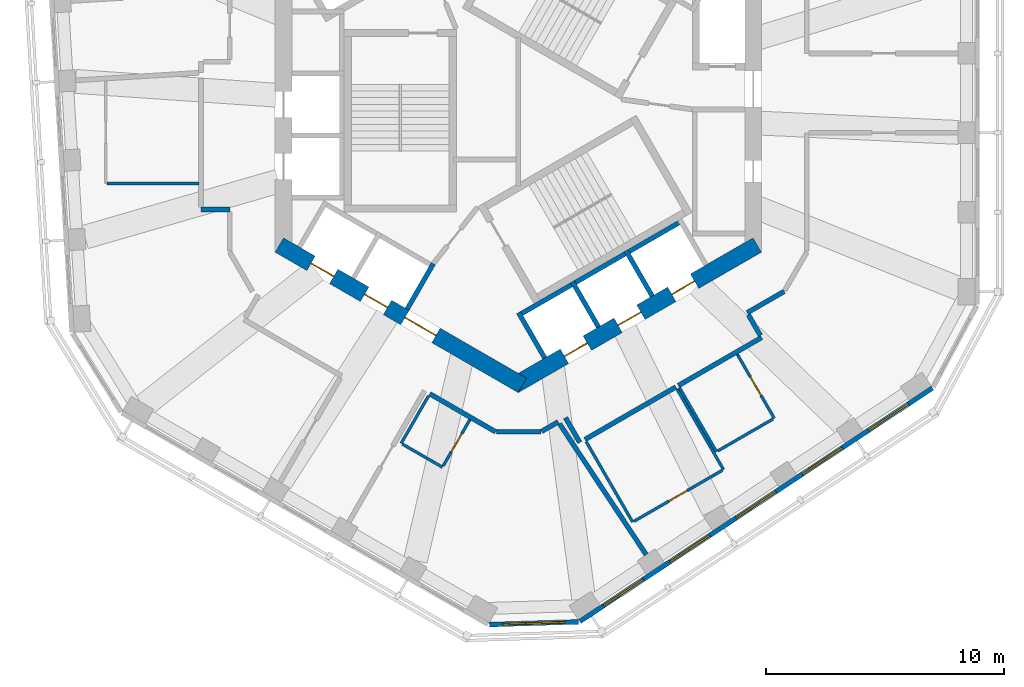
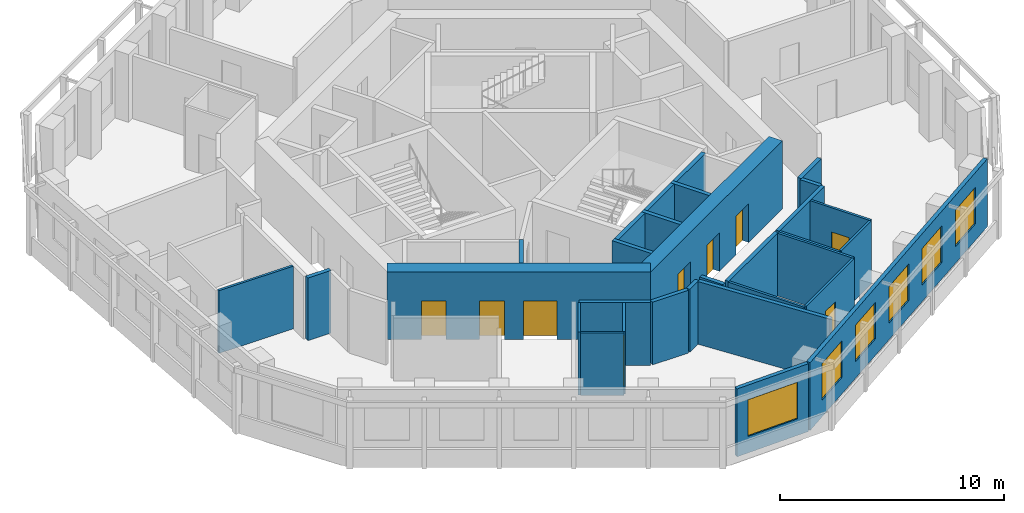
# One storey, part 4 of 10: 29 walls, 9 doors, 6 windows, 15 openings.
"""IFC4 building model written with IfcOpenShell, lengths in metres."""

from ifc_helpers import new_model, si_unit, direction, frame, frame_2d, origin, place, context, subcontext, project, spatial, rectangle, extrude, material, layer, layer_set, type_object, element, fill, save


model = new_model("IFC4")

# Units and contexts
model_context = context("Model", 3, precision=1e-05, world=origin(), true_north=direction((0.0, 1.0)))
body_context = subcontext(model_context, "Body", "Model", "MODEL_VIEW")
ifc_project = project(units=[si_unit("LENGTHUNIT", "METRE"), si_unit("AREAUNIT", "SQUARE_METRE"), si_unit("VOLUMEUNIT", "CUBIC_METRE"), si_unit("PLANEANGLEUNIT", "RADIAN"), si_unit("MASSUNIT", "GRAM", prefix="KILO")], contexts=[model_context])

# Site, building, storey
site_placement = place(None, origin())
site = spatial("IfcSite", under=ifc_project, at=site_placement, CompositionType="ELEMENT")
building_placement = place(site_placement, origin())
building = spatial("IfcBuilding", under=site, at=building_placement, Name="Vanh Sen Convention Tower", CompositionType="ELEMENT")
storey_placement = place(building_placement, frame((0.0, 0.0, 267.199951171875)))
storey = spatial("IfcBuildingStorey", under=building, at=storey_placement, Name="L66", CompositionType="ELEMENT", Elevation=267.199951171875)

# Walls
ifc_material_1 = material(Name="Moisture-resistant gypsum board on steel studs", Category="steel")
ifc_layer_1 = layer(ifc_material_1, 0.1201171875)
ifc_layer_set_1 = layer_set([ifc_layer_1], Name="Moisture-resistant gypsum board on steel studs")
wall_type_1 = type_object("IfcWallType", Name="Bathroom partition 120", PredefinedType="PARTITIONING", material=ifc_layer_set_1)
wall_1_placement = place(storey_placement, frame((-13.40087890625, -3.0107421875, 0.0), z_axis=(0.0, 0.0, 1.0), x_axis=(-1.0, 0.0, 0.0)))
element("IfcWall", 1, at=wall_1_placement, inside=storey, type_object=wall_type_1, Name="Bathroom partition 120", PredefinedType="PARTITIONING", context=body_context, shape_type="SweptSolid", body=[
    extrude(rectangle(XDim=3.840087890625, YDim=0.1201171875, at=frame_2d((1.919921875, 0.0))), origin(), (0.0, 0.0, 1.0), 3.420166015625),
])
wall_2_placement = place(storey_placement, frame((-4.913330078125, -13.906494140625, 0.0), z_axis=(0.0, 0.0, 1.0), x_axis=(0.500031774688, 0.866007057882, 0.0)))
element("IfcWall", 2, at=wall_2_placement, inside=storey, type_object=wall_type_1, Name="Bathroom partition 120", PredefinedType="PARTITIONING", context=body_context, shape_type="SweptSolid", body=[
    extrude(rectangle(XDim=2.300048828125, YDim=0.1201171875, at=frame_2d((1.14990234375, 0.0))), origin(), (0.0, 0.0, 1.0), 3.420166015625),
])
wall_3_placement = place(storey_placement, frame((-3.18115234375, -14.906494140625, 0.0), z_axis=(0.0, 0.0, 1.0), x_axis=(-0.866043088465, 0.499969367985, 0.0)))
element("IfcWall", 3, at=wall_3_placement, inside=storey, type_object=wall_type_1, Name="Bathroom partition 120", PredefinedType="PARTITIONING", context=body_context, shape_type="SweptSolid", body=[
    extrude(rectangle(XDim=1.93994140625, YDim=0.1201171875, at=frame_2d((0.969970703125, 0.0))), origin(), (0.0, 0.0, 1.0), 3.420166015625),
])

# Wall, opening, door
wall_4_placement = place(storey_placement, frame((-2.03125, -12.91455078125, 0.0), z_axis=(0.0, 0.0, 1.0), x_axis=(-0.49994888933, -0.866054910533, 0.0)))
wall_4 = element("IfcWall", 4, at=wall_4_placement, inside=storey, type_object=wall_type_1, Name="Bathroom partition 120", PredefinedType="PARTITIONING", context=body_context, shape_type="SweptSolid", body=[
    extrude(rectangle(XDim=2.239990234375, YDim=0.1201171875, at=frame_2d((1.1201171875, 0.0))), origin(), (0.0, 0.0, 1.0), 3.420166015625),
])
opening_1_placement = place(wall_4_placement, frame((0.669921875, 0.0, 0.0)))
opening_1 = element("IfcOpeningElement", 5, at=opening_1_placement, cuts=wall_4, Name="Opening D64113", PredefinedType="OPENING", context=body_context, shape_type="SweptSolid", body=[
    extrude(rectangle(XDim=0.89990234375, YDim=2.10009765625, at=frame_2d((0.449951171875, 1.050048828125))), frame((0.0, 0.070068359375, 0.0), z_axis=(0.0, -1.0, 0.0), x_axis=(1.0, 0.0, 0.0)), (0.0, 0.0, 1.0), 0.14013671875),
])
ifc_material_2 = material(Name="Laminate door in steel frame", Category="steel")
door_type_1 = type_object("IfcDoorType", Name="Room internal door 900", OperationType="SINGLE_SWING_LEFT", PredefinedType="DOOR", material=ifc_material_2)
door_1_placement = place(opening_1_placement, origin())
door_1 = element("IfcDoor", 6, at=door_1_placement, inside=storey, type_object=door_type_1, Name="Internal room door D64113", OperationType="SINGLE_SWING_LEFT", OverallHeight=2.10009765625, OverallWidth=0.89990234375, PredefinedType="DOOR", context=body_context, shape_type="SweptSolid", body=[
    extrude(rectangle(XDim=0.89990234375, YDim=2.10009765625, at=frame_2d((0.449951171875, 1.050048828125))), frame((0.0, 0.02490234375, 0.0), z_axis=(0.0, -1.0, 0.0), x_axis=(1.0, 0.0, 0.0)), (0.0, 0.0, 1.0), 0.050048828125),
])
fill(opening_1, door_1)

# Walls
wall_5_placement = place(storey_placement, frame((4.7958984375, -17.20849609375, 0.0), z_axis=(0.0, 0.0, 1.0), x_axis=(-0.500043961785, 0.866000020948, 0.0)))
element("IfcWall", 7, at=wall_5_placement, inside=storey, type_object=wall_type_1, Name="Bathroom partition 120", PredefinedType="PARTITIONING", context=body_context, shape_type="SweptSolid", body=[
    extrude(rectangle(XDim=3.900146484375, YDim=0.1201171875, at=frame_2d((1.9501953125, 0.0))), origin(), (0.0, 0.0, 1.0), 3.420166015625),
])
wall_6_placement = place(storey_placement, frame((6.65625, -11.631103515625, 0.0), z_axis=(0.0, 0.0, 1.0), x_axis=(0.499997012787, -0.866027128446, 0.0)))
element("IfcWall", 8, at=wall_6_placement, inside=storey, type_object=wall_type_1, Name="Bathroom partition 120", PredefinedType="PARTITIONING", context=body_context, shape_type="SweptSolid", body=[
    extrude(rectangle(XDim=3.89990234375, YDim=0.1201171875, at=frame_2d((1.949951171875, 0.0))), origin(), (0.0, 0.0, 1.0), 3.420166015625),
])
wall_7_placement = place(storey_placement, frame((8.310302734375, -14.255859375, 0.0), z_axis=(0.0, 0.0, 1.0), x_axis=(-0.49999285859, 0.86602952684, 0.0)))
element("IfcWall", 9, at=wall_7_placement, inside=storey, type_object=wall_type_1, Name="Bathroom partition 120", PredefinedType="PARTITIONING", context=body_context, shape_type="SweptSolid", body=[
    extrude(rectangle(XDim=3.10009765625, YDim=0.1201171875, at=frame_2d((1.550048828125, 0.0))), origin(), (0.0, 0.0, 1.0), 3.420166015625),
])

# Wall, opening, door
wall_8_placement = place(storey_placement, frame((8.55419921875, -15.03857421875, 0.0), z_axis=(0.0, 0.0, 1.0), x_axis=(-0.865994635417, -0.500053288589, 0.0)))
wall_8 = element("IfcWall", 10, at=wall_8_placement, inside=storey, type_object=wall_type_1, Name="Bathroom partition 120", PredefinedType="PARTITIONING", context=body_context, shape_type="SweptSolid", body=[
    extrude(rectangle(XDim=4.27978515625, YDim=0.1201171875, at=frame_2d((2.139892578125, 0.0))), origin(), (0.0, 0.0, 1.0), 3.420166015625),
])
opening_2_placement = place(wall_8_placement, frame((1.68994140625, 0.0, 0.0)))
opening_2 = element("IfcOpeningElement", 11, at=opening_2_placement, cuts=wall_8, Name="Opening D64115", PredefinedType="OPENING", context=body_context, shape_type="SweptSolid", body=[
    extrude(rectangle(XDim=0.89990234375, YDim=2.10009765625, at=frame_2d((0.449951171875, 1.050048828125))), frame((0.0, 0.070068359375, 0.0), z_axis=(0.0, -1.0, 0.0), x_axis=(1.0, 0.0, 0.0)), (0.0, 0.0, 1.0), 0.14013671875),
])
door_2_placement = place(opening_2_placement, origin())
door_2 = element("IfcDoor", 12, at=door_2_placement, inside=storey, type_object=door_type_1, Name="Internal room door D64115", OperationType="SINGLE_SWING_LEFT", OverallHeight=2.10009765625, OverallWidth=0.89990234375, PredefinedType="DOOR", context=body_context, shape_type="SweptSolid", body=[
    extrude(rectangle(XDim=0.89990234375, YDim=2.10009765625, at=frame_2d((0.449951171875, 1.050048828125))), frame((0.0, 0.02490234375, 0.0), z_axis=(0.0, -1.0, 0.0), x_axis=(1.0, 0.0, 0.0)), (0.0, 0.0, 1.0), 0.050048828125),
])
fill(opening_2, door_2)

wall_9_placement = place(storey_placement, frame((9.18505859375, -10.171142578125, 0.0), z_axis=(0.0, 0.0, 1.0), x_axis=(0.500026960575, -0.86600983753, 0.0)))
wall_9 = element("IfcWall", 13, at=wall_9_placement, inside=storey, type_object=wall_type_1, Name="Bathroom partition 120", PredefinedType="PARTITIONING", context=body_context, shape_type="SweptSolid", body=[
    extrude(rectangle(XDim=3.099853515625, YDim=0.1201171875, at=frame_2d((1.5498046875, 0.0))), origin(), (0.0, 0.0, 1.0), 3.420166015625),
])
opening_3_placement = place(wall_9_placement, frame((1.10009765625, 0.0, 0.0)))
opening_3 = element("IfcOpeningElement", 14, at=opening_3_placement, cuts=wall_9, Name="Opening D64116", PredefinedType="OPENING", context=body_context, shape_type="SweptSolid", body=[
    extrude(rectangle(XDim=0.89990234375, YDim=2.10009765625, at=frame_2d((0.449951171875, 1.050048828125))), frame((0.0, 0.070068359375, 0.0), z_axis=(0.0, -1.0, 0.0), x_axis=(1.0, 0.0, 0.0)), (0.0, 0.0, 1.0), 0.14013671875),
])
door_3_placement = place(opening_3_placement, origin())
door_3 = element("IfcDoor", 15, at=door_3_placement, inside=storey, type_object=door_type_1, Name="Internal room door D64116", OperationType="SINGLE_SWING_LEFT", OverallHeight=2.10009765625, OverallWidth=0.89990234375, PredefinedType="DOOR", context=body_context, shape_type="SweptSolid", body=[
    extrude(rectangle(XDim=0.89990234375, YDim=2.10009765625, at=frame_2d((0.449951171875, 1.050048828125))), frame((0.0, 0.02490234375, 0.0), z_axis=(0.0, -1.0, 0.0), x_axis=(1.0, 0.0, 0.0)), (0.0, 0.0, 1.0), 0.050048828125),
])
fill(opening_3, door_3)

# Wall
wall_10_placement = place(storey_placement, frame((10.68310546875, -12.8857421875, 0.0), z_axis=(0.0, 0.0, 1.0), x_axis=(-0.86599746015, -0.500048396672, 0.0)))
element("IfcWall", 16, at=wall_10_placement, inside=storey, type_object=wall_type_1, Name="Bathroom partition 120", PredefinedType="PARTITIONING", context=body_context, shape_type="SweptSolid", body=[
    extrude(rectangle(XDim=2.679931640625, YDim=0.1201171875, at=frame_2d((1.33984375, 0.0))), origin(), (0.0, 0.0, 1.0), 3.420166015625),
])

# Wall, openings, doors
ifc_material_3 = material(Name="Concrete C60/75", Category="concrete")
ifc_layer_2 = layer(ifc_material_3, 0.699951171875)
ifc_layer_set_2 = layer_set([ifc_layer_2], Name="Concrete C60/75")
wall_type_2 = type_object("IfcWallType", Name="Core outer wall 700 C60/75", PredefinedType="SHEAR", material=ifc_layer_set_2)
wall_11_placement = place(storey_placement, frame((-10.02490234375, -5.5859375, 0.0), z_axis=(0.0, 0.0, 1.0), x_axis=(0.866026453023, -0.499998182661, 0.0)))
wall_11 = element("IfcWall", 17, at=wall_11_placement, inside=storey, type_object=wall_type_2, Name="Core wall face SW L66", PredefinedType="SHEAR", context=body_context, shape_type="SweptSolid", body=[
    extrude(rectangle(XDim=11.77783203125, YDim=0.699951171875, at=frame_2d((5.888916015625, 0.0))), origin(), (0.0, 0.0, 1.0), 3.699951171875),
])
opening_4_placement = place(wall_11_placement, frame((6.089111328125, 0.0, 0.0)))
opening_4 = element("IfcOpeningElement", 18, at=opening_4_placement, cuts=wall_11, Name="Opening D64003", PredefinedType="OPENING", context=body_context, shape_type="SweptSolid", body=[
    extrude(rectangle(XDim=1.5, YDim=2.10009765625, at=frame_2d((0.75, 1.050048828125))), frame((0.0, 0.35986328125, 0.0), z_axis=(0.0, -1.0, 0.0), x_axis=(1.0, 0.0, 0.0)), (0.0, 0.0, 1.0), 0.719970703125),
])
opening_5_placement = place(wall_11_placement, frame((1.5390625, 0.0, 0.0)))
opening_5 = element("IfcOpeningElement", 19, at=opening_5_placement, cuts=wall_11, Name="Opening LD-HR3", PredefinedType="OPENING", context=body_context, shape_type="SweptSolid", body=[
    extrude(rectangle(XDim=1.10009765625, YDim=2.10009765625, at=frame_2d((0.550048828125, 1.050048828125))), frame((0.0, 0.35986328125, 0.0), z_axis=(0.0, -1.0, 0.0), x_axis=(1.0, 0.0, 0.0)), (0.0, 0.0, 1.0), 0.719970703125),
])
opening_6_placement = place(wall_11_placement, frame((4.138916015625, 0.0, 0.0)))
opening_6 = element("IfcOpeningElement", 20, at=opening_6_placement, cuts=wall_11, Name="Opening LD-HR4", PredefinedType="OPENING", context=body_context, shape_type="SweptSolid", body=[
    extrude(rectangle(XDim=1.10009765625, YDim=2.10009765625, at=frame_2d((0.550048828125, 1.050048828125))), frame((0.0, 0.35986328125, 0.0), z_axis=(0.0, -1.0, 0.0), x_axis=(1.0, 0.0, 0.0)), (0.0, 0.0, 1.0), 0.719970703125),
])
ifc_material_4 = material(Name="Stainless steel", Category="steel")
door_type_2 = type_object("IfcDoorType", Name="Lift landing door 1100", OperationType="DOUBLE_DOOR_SLIDING", PredefinedType="DOOR", material=ifc_material_4)
door_4_placement = place(opening_5_placement, origin())
door_4 = element("IfcDoor", 21, at=door_4_placement, inside=storey, type_object=door_type_2, Name="Lift HR3 landing door LD-HR3", OperationType="DOUBLE_DOOR_SLIDING", OverallHeight=2.10009765625, OverallWidth=1.10009765625, PredefinedType="DOOR", context=body_context, shape_type="SweptSolid", body=[
    extrude(rectangle(XDim=1.10009765625, YDim=2.10009765625, at=frame_2d((0.550048828125, 1.050048828125))), frame((0.0, 0.02490234375, 0.0), z_axis=(0.0, -1.0, 0.0), x_axis=(1.0, 0.0, 0.0)), (0.0, 0.0, 1.0), 0.050048828125),
])
fill(opening_5, door_4)
door_5_placement = place(opening_6_placement, origin())
door_5 = element("IfcDoor", 22, at=door_5_placement, inside=storey, type_object=door_type_2, Name="Lift HR4 landing door LD-HR4", OperationType="DOUBLE_DOOR_SLIDING", OverallHeight=2.10009765625, OverallWidth=1.10009765625, PredefinedType="DOOR", context=body_context, shape_type="SweptSolid", body=[
    extrude(rectangle(XDim=1.10009765625, YDim=2.10009765625, at=frame_2d((0.550048828125, 1.050048828125))), frame((0.0, 0.02490234375, 0.0), z_axis=(0.0, -1.0, 0.0), x_axis=(1.0, 0.0, 0.0)), (0.0, 0.0, 1.0), 0.050048828125),
])
fill(opening_6, door_5)
ifc_material_5 = material(Name="Steel S355", Category="steel")
door_type_3 = type_object("IfcDoorType", Name="Stair lobby door 1500", OperationType="DOUBLE_DOOR_SINGLE_SWING", PredefinedType="DOOR", material=ifc_material_5)
door_6_placement = place(opening_4_placement, origin())
door_6 = element("IfcDoor", 23, at=door_6_placement, inside=storey, type_object=door_type_3, Name="Stair lobby door D64003", OperationType="DOUBLE_DOOR_SINGLE_SWING", OverallHeight=2.10009765625, OverallWidth=1.5, PredefinedType="DOOR", context=body_context, shape_type="SweptSolid", body=[
    extrude(rectangle(XDim=1.5, YDim=2.10009765625, at=frame_2d((0.75, 1.050048828125))), frame((0.0, 0.02490234375, 0.0), z_axis=(0.0, -1.0, 0.0), x_axis=(1.0, 0.0, 0.0)), (0.0, 0.0, 1.0), 0.050048828125),
])
fill(opening_4, door_6)

wall_12_placement = place(storey_placement, frame((-0.175048828125, -11.474853515625, 0.0), z_axis=(0.0, 0.0, 1.0), x_axis=(0.866026453023, 0.499998182661, 0.0)))
wall_12 = element("IfcWall", 24, at=wall_12_placement, inside=storey, type_object=wall_type_2, Name="Core wall face SE L66", PredefinedType="SHEAR", context=body_context, shape_type="SweptSolid", body=[
    extrude(rectangle(XDim=11.77783203125, YDim=0.699951171875, at=frame_2d((5.888916015625, 0.0))), origin(), (0.0, 0.0, 1.0), 3.699951171875),
])
opening_7_placement = place(wall_12_placement, frame((2.43896484375, 0.0, 0.0)))
opening_7 = element("IfcOpeningElement", 25, at=opening_7_placement, cuts=wall_12, Name="Opening LD-HR5", PredefinedType="OPENING", context=body_context, shape_type="SweptSolid", body=[
    extrude(rectangle(XDim=1.10009765625, YDim=2.10009765625, at=frame_2d((0.550048828125, 1.050048828125))), frame((0.0, 0.35986328125, 0.0), z_axis=(0.0, -1.0, 0.0), x_axis=(1.0, 0.0, 0.0)), (0.0, 0.0, 1.0), 0.719970703125),
])
opening_8_placement = place(wall_12_placement, frame((5.0390625, 0.0, 0.0)))
opening_8 = element("IfcOpeningElement", 26, at=opening_8_placement, cuts=wall_12, Name="Opening LD-HR6", PredefinedType="OPENING", context=body_context, shape_type="SweptSolid", body=[
    extrude(rectangle(XDim=1.10009765625, YDim=2.10009765625, at=frame_2d((0.550048828125, 1.050048828125))), frame((0.0, 0.35986328125, 0.0), z_axis=(0.0, -1.0, 0.0), x_axis=(1.0, 0.0, 0.0)), (0.0, 0.0, 1.0), 0.719970703125),
])
opening_9_placement = place(wall_12_placement, frame((7.638916015625, 0.0, 0.0)))
opening_9 = element("IfcOpeningElement", 27, at=opening_9_placement, cuts=wall_12, Name="Opening LD-SV1", PredefinedType="OPENING", context=body_context, shape_type="SweptSolid", body=[
    extrude(rectangle(XDim=1.10009765625, YDim=2.10009765625, at=frame_2d((0.550048828125, 1.050048828125))), frame((0.0, 0.35986328125, 0.0), z_axis=(0.0, -1.0, 0.0), x_axis=(1.0, 0.0, 0.0)), (0.0, 0.0, 1.0), 0.719970703125),
])
door_7_placement = place(opening_7_placement, origin())
door_7 = element("IfcDoor", 28, at=door_7_placement, inside=storey, type_object=door_type_2, Name="Lift HR5 landing door LD-HR5", OperationType="DOUBLE_DOOR_SLIDING", OverallHeight=2.10009765625, OverallWidth=1.10009765625, PredefinedType="DOOR", context=body_context, shape_type="SweptSolid", body=[
    extrude(rectangle(XDim=1.10009765625, YDim=2.10009765625, at=frame_2d((0.550048828125, 1.050048828125))), frame((0.0, 0.02490234375, 0.0), z_axis=(0.0, -1.0, 0.0), x_axis=(1.0, 0.0, 0.0)), (0.0, 0.0, 1.0), 0.050048828125),
])
fill(opening_7, door_7)
door_8_placement = place(opening_8_placement, origin())
door_8 = element("IfcDoor", 29, at=door_8_placement, inside=storey, type_object=door_type_2, Name="Lift HR6 landing door LD-HR6", OperationType="DOUBLE_DOOR_SLIDING", OverallHeight=2.10009765625, OverallWidth=1.10009765625, PredefinedType="DOOR", context=body_context, shape_type="SweptSolid", body=[
    extrude(rectangle(XDim=1.10009765625, YDim=2.10009765625, at=frame_2d((0.550048828125, 1.050048828125))), frame((0.0, 0.02490234375, 0.0), z_axis=(0.0, -1.0, 0.0), x_axis=(1.0, 0.0, 0.0)), (0.0, 0.0, 1.0), 0.050048828125),
])
fill(opening_8, door_8)
door_9_placement = place(opening_9_placement, origin())
door_9 = element("IfcDoor", 30, at=door_9_placement, inside=storey, type_object=door_type_2, Name="Lift SV1 landing door LD-SV1", OperationType="DOUBLE_DOOR_SLIDING", OverallHeight=2.10009765625, OverallWidth=1.10009765625, PredefinedType="DOOR", context=body_context, shape_type="SweptSolid", body=[
    extrude(rectangle(XDim=1.10009765625, YDim=2.10009765625, at=frame_2d((0.550048828125, 1.050048828125))), frame((0.0, 0.02490234375, 0.0), z_axis=(0.0, -1.0, 0.0), x_axis=(1.0, 0.0, 0.0)), (0.0, 0.0, 1.0), 0.050048828125),
])
fill(opening_9, door_9)

# Walls
ifc_material_6 = material(Name="Gypsum board on steel studs with mineral wool", Category="steel")
ifc_layer_3 = layer(ifc_material_6, 0.199951171875)
ifc_layer_set_3 = layer_set([ifc_layer_3], Name="Gypsum board on steel studs with mineral wool")
wall_type_3 = type_object("IfcWallType", Name="Corridor partition wall 200", PredefinedType="PARTITIONING", material=ifc_layer_set_3)
wall_13_placement = place(storey_placement, frame((-13.301025390625, -4.10107421875, 0.0), z_axis=(0.0, 0.0, 1.0), x_axis=(1.0, 0.0, 0.0)))
element("IfcWall", 31, at=wall_13_placement, inside=storey, type_object=wall_type_3, Name="Corridor partition wall 200", PredefinedType="PARTITIONING", context=body_context, shape_type="SweptSolid", body=[
    extrude(rectangle(XDim=1.200927734375, YDim=0.199951171875, at=frame_2d((0.6005859375, 0.0))), origin(), (0.0, 0.0, 1.0), 3.420166015625),
])
wall_14_placement = place(storey_placement, frame((-3.71337890625, -11.827880859375, 0.0), z_axis=(0.0, 0.0, 1.0), x_axis=(0.866026321388, -0.499998410661, 0.0)))
element("IfcWall", 32, at=wall_14_placement, inside=storey, type_object=wall_type_3, Name="Corridor partition wall 200", PredefinedType="PARTITIONING", context=body_context, shape_type="SweptSolid", body=[
    extrude(rectangle(XDim=3.19091796875, YDim=0.199951171875, at=frame_2d((1.595458984375, 0.0))), origin(), (0.0, 0.0, 1.0), 3.420166015625),
])
wall_15_placement = place(storey_placement, frame((-0.909912109375, -13.42333984375, 0.0), z_axis=(0.0, 0.0, 1.0), x_axis=(1.0, 0.0, 0.0)))
element("IfcWall", 33, at=wall_15_placement, inside=storey, type_object=wall_type_3, Name="Corridor partition wall 200", PredefinedType="PARTITIONING", context=body_context, shape_type="SweptSolid", body=[
    extrude(rectangle(XDim=1.85986328125, YDim=0.199951171875, at=frame_2d((0.929931640625, 0.0))), origin(), (0.0, 0.0, 1.0), 3.420166015625),
])
wall_16_placement = place(storey_placement, frame((0.984619140625, -13.4033203125, 0.0), z_axis=(0.0, 0.0, 1.0), x_axis=(0.866032814021, 0.499987164874, 0.0)))
element("IfcWall", 34, at=wall_16_placement, inside=storey, type_object=wall_type_3, Name="Corridor partition wall 200", PredefinedType="PARTITIONING", context=body_context, shape_type="SweptSolid", body=[
    extrude(rectangle(XDim=0.79833984375, YDim=0.199951171875, at=frame_2d((0.399169921875, 0.0))), origin(), (0.0, 0.0, 1.0), 3.420166015625),
])
wall_17_placement = place(storey_placement, frame((1.978759765625, -12.829345703125, 0.0), z_axis=(0.0, 0.0, 1.0), x_axis=(0.500074377092, -0.865982457891, 0.0)))
element("IfcWall", 35, at=wall_17_placement, inside=storey, type_object=wall_type_3, Name="Corridor partition wall 200", PredefinedType="PARTITIONING", context=body_context, shape_type="SweptSolid", body=[
    extrude(rectangle(XDim=1.200927734375, YDim=0.199951171875, at=frame_2d((0.6005859375, 0.0))), origin(), (0.0, 0.0, 1.0), 3.420166015625),
])
wall_18_placement = place(storey_placement, frame((2.7958984375, -13.744384765625, 0.0), z_axis=(0.0, 0.0, 1.0), x_axis=(0.866018331238, 0.50001224981, 0.0)))
element("IfcWall", 36, at=wall_18_placement, inside=storey, type_object=wall_type_3, Name="Corridor partition wall 200", PredefinedType="PARTITIONING", context=body_context, shape_type="SweptSolid", body=[
    extrude(rectangle(XDim=4.39990234375, YDim=0.199951171875, at=frame_2d((2.199951171875, 0.0))), origin(), (0.0, 0.0, 1.0), 3.420166015625),
])
wall_19_placement = place(storey_placement, frame((6.710205078125, -11.484619140625, 0.0), z_axis=(0.0, 0.0, 1.0), x_axis=(0.866021232452, 0.500007224889, 0.0)))
element("IfcWall", 37, at=wall_19_placement, inside=storey, type_object=wall_type_3, Name="Corridor partition wall 200", PredefinedType="PARTITIONING", context=body_context, shape_type="SweptSolid", body=[
    extrude(rectangle(XDim=4.0322265625, YDim=0.199951171875, at=frame_2d((2.01611328125, 0.0))), origin(), (0.0, 0.0, 1.0), 3.420166015625),
])
wall_20_placement = place(storey_placement, frame((9.6015625, -8.428466796875, 0.0), z_axis=(0.0, 0.0, 1.0), x_axis=(0.865999114786, 0.500045531117, 0.0)))
element("IfcWall", 38, at=wall_20_placement, inside=storey, type_object=wall_type_3, Name="Corridor partition wall 200", PredefinedType="PARTITIONING", context=body_context, shape_type="SweptSolid", body=[
    extrude(rectangle(XDim=1.787841796875, YDim=0.199951171875, at=frame_2d((0.89404296875, 0.0))), origin(), (0.0, 0.0, 1.0), 3.420166015625),
])
wall_21_placement = place(storey_placement, frame((10.152099609375, -9.3818359375, 0.0), z_axis=(0.0, 0.0, 1.0), x_axis=(-0.499968756647, 0.866043441391, 0.0)))
element("IfcWall", 39, at=wall_21_placement, inside=storey, type_object=wall_type_3, Name="Corridor partition wall 200", PredefinedType="PARTITIONING", context=body_context, shape_type="SweptSolid", body=[
    extrude(rectangle(XDim=1.0009765625, YDim=0.199951171875, at=frame_2d((0.50048828125, 0.0))), origin(), (0.0, 0.0, 1.0), 3.420166015625),
])

# Wall, opening, window
ifc_material_7 = material(Name="Insulated lightweight infill wall")
ifc_layer_4 = layer(ifc_material_7, 0.199951171875)
ifc_layer_set_4 = layer_set([ifc_layer_4], Name="Insulated lightweight infill wall")
wall_type_4 = type_object("IfcWallType", Name="External wall 200", PredefinedType="STANDARD", material=ifc_layer_set_4)
wall_22_placement = place(storey_placement, frame((-1.21728515625, -21.508056640625, 0.0), z_axis=(0.0, 0.0, 1.0), x_axis=(0.99953295295, 0.030559384285, 0.0)))
wall_22 = element("IfcWall", 40, at=wall_22_placement, inside=storey, type_object=wall_type_4, Name="External wall CH5 L66", PredefinedType="STANDARD", context=body_context, shape_type="SweptSolid", body=[
    extrude(rectangle(XDim=3.746826171875, YDim=0.199951171875, at=frame_2d((1.87353515625, 0.0))), origin(), (0.0, 0.0, 1.0), 3.699951171875),
])
opening_10_placement = place(wall_22_placement, frame((0.573486328125, 0.0, 0.89990234375)))
opening_10 = element("IfcOpeningElement", 41, at=opening_10_placement, cuts=wall_22, Name="Opening WO6-CH51", PredefinedType="OPENING", context=body_context, shape_type="SweptSolid", body=[
    extrude(rectangle(XDim=2.60009765625, YDim=2.0, at=frame_2d((1.300048828125, 1.0))), frame((0.0, 0.10986328125, 0.0), z_axis=(0.0, -1.0, 0.0), x_axis=(1.0, 0.0, 0.0)), (0.0, 0.0, 1.0), 0.219970703125),
])
ifc_material_8 = material(Name="Aluminium frame with clear low-emissivity glass", Category="aluminium")
window_type_1 = type_object("IfcWindowType", Name="Office window 2600 x 2000", PartitioningType="SINGLE_PANEL", PredefinedType="WINDOW", material=ifc_material_8)
window_1_placement = place(opening_10_placement, origin())
window_1 = element("IfcWindow", 42, at=window_1_placement, inside=storey, type_object=window_type_1, Name="Window WO6-CH51", OverallHeight=2.0, OverallWidth=2.60009765625, PartitioningType="SINGLE_PANEL", PredefinedType="WINDOW", context=body_context, shape_type="SweptSolid", body=[
    extrude(rectangle(XDim=2.60009765625, YDim=2.0, at=frame_2d((1.300048828125, 1.0))), frame((0.0, 0.030029296875, 0.0), z_axis=(0.0, -1.0, 0.0), x_axis=(1.0, 0.0, 0.0)), (0.0, 0.0, 1.0), 0.06005859375),
])
fill(opening_10, window_1)

# Wall, openings, windows
wall_23_placement = place(storey_placement, frame((2.580078125, -21.376953125, 0.0), z_axis=(0.0, 0.0, 1.0), x_axis=(0.833888592176, 0.551932800112, 0.0)))
wall_23 = element("IfcWall", 43, at=wall_23_placement, inside=storey, type_object=wall_type_4, Name="External wall SE L66", PredefinedType="STANDARD", context=body_context, shape_type="SweptSolid", body=[
    extrude(rectangle(XDim=17.7314453125, YDim=0.199951171875, at=frame_2d((8.86572265625, 0.0))), origin(), (0.0, 0.0, 1.0), 3.699951171875),
])
opening_11_placement = place(wall_23_placement, frame((1.20166015625, 0.0, 0.89990234375)))
opening_11 = element("IfcOpeningElement", 44, at=opening_11_placement, cuts=wall_23, Name="Opening WO5-SE1", PredefinedType="OPENING", context=body_context, shape_type="SweptSolid", body=[
    extrude(rectangle(XDim=2.0, YDim=2.0, at=frame_2d((1.0, 1.0))), frame((0.0, 0.10986328125, 0.0), z_axis=(0.0, -1.0, 0.0), x_axis=(1.0, 0.0, 0.0)), (0.0, 0.0, 1.0), 0.219970703125),
])
opening_12_placement = place(wall_23_placement, frame((4.533203125, 0.0, 0.89990234375)))
opening_12 = element("IfcOpeningElement", 45, at=opening_12_placement, cuts=wall_23, Name="Opening WO5-SE2", PredefinedType="OPENING", context=body_context, shape_type="SweptSolid", body=[
    extrude(rectangle(XDim=2.0, YDim=2.0, at=frame_2d((1.0, 1.0))), frame((0.0, 0.10986328125, 0.0), z_axis=(0.0, -1.0, 0.0), x_axis=(1.0, 0.0, 0.0)), (0.0, 0.0, 1.0), 0.219970703125),
])
opening_13_placement = place(wall_23_placement, frame((7.864990234375, 0.0, 0.89990234375)))
opening_13 = element("IfcOpeningElement", 46, at=opening_13_placement, cuts=wall_23, Name="Opening WO5-SE3", PredefinedType="OPENING", context=body_context, shape_type="SweptSolid", body=[
    extrude(rectangle(XDim=2.0, YDim=2.0, at=frame_2d((1.0, 1.0))), frame((0.0, 0.10986328125, 0.0), z_axis=(0.0, -1.0, 0.0), x_axis=(1.0, 0.0, 0.0)), (0.0, 0.0, 1.0), 0.219970703125),
])
opening_14_placement = place(wall_23_placement, frame((11.196533203125, 0.0, 0.89990234375)))
opening_14 = element("IfcOpeningElement", 47, at=opening_14_placement, cuts=wall_23, Name="Opening WO5-SE4", PredefinedType="OPENING", context=body_context, shape_type="SweptSolid", body=[
    extrude(rectangle(XDim=2.0, YDim=2.0, at=frame_2d((1.0, 1.0))), frame((0.0, 0.10986328125, 0.0), z_axis=(0.0, -1.0, 0.0), x_axis=(1.0, 0.0, 0.0)), (0.0, 0.0, 1.0), 0.219970703125),
])
opening_15_placement = place(wall_23_placement, frame((14.528076171875, 0.0, 0.89990234375)))
opening_15 = element("IfcOpeningElement", 48, at=opening_15_placement, cuts=wall_23, Name="Opening WO5-SE5", PredefinedType="OPENING", context=body_context, shape_type="SweptSolid", body=[
    extrude(rectangle(XDim=2.0, YDim=2.0, at=frame_2d((1.0, 1.0))), frame((0.0, 0.10986328125, 0.0), z_axis=(0.0, -1.0, 0.0), x_axis=(1.0, 0.0, 0.0)), (0.0, 0.0, 1.0), 0.219970703125),
])
window_type_2 = type_object("IfcWindowType", Name="Office window 2000 x 2000", PartitioningType="SINGLE_PANEL", PredefinedType="WINDOW", material=ifc_material_8)
window_2_placement = place(opening_11_placement, origin())
window_2 = element("IfcWindow", 49, at=window_2_placement, inside=storey, type_object=window_type_2, Name="Window WO5-SE1", OverallHeight=2.0, OverallWidth=2.0, PartitioningType="SINGLE_PANEL", PredefinedType="WINDOW", context=body_context, shape_type="SweptSolid", body=[
    extrude(rectangle(XDim=2.0, YDim=2.0, at=frame_2d((1.0, 1.0))), frame((0.0, 0.030029296875, 0.0), z_axis=(0.0, -1.0, 0.0), x_axis=(1.0, 0.0, 0.0)), (0.0, 0.0, 1.0), 0.06005859375),
])
fill(opening_11, window_2)
window_3_placement = place(opening_12_placement, origin())
window_3 = element("IfcWindow", 50, at=window_3_placement, inside=storey, type_object=window_type_2, Name="Window WO5-SE2", OverallHeight=2.0, OverallWidth=2.0, PartitioningType="SINGLE_PANEL", PredefinedType="WINDOW", context=body_context, shape_type="SweptSolid", body=[
    extrude(rectangle(XDim=2.0, YDim=2.0, at=frame_2d((1.0, 1.0))), frame((0.0, 0.030029296875, 0.0), z_axis=(0.0, -1.0, 0.0), x_axis=(1.0, 0.0, 0.0)), (0.0, 0.0, 1.0), 0.06005859375),
])
fill(opening_12, window_3)
window_4_placement = place(opening_13_placement, origin())
window_4 = element("IfcWindow", 51, at=window_4_placement, inside=storey, type_object=window_type_2, Name="Window WO5-SE3", OverallHeight=2.0, OverallWidth=2.0, PartitioningType="SINGLE_PANEL", PredefinedType="WINDOW", context=body_context, shape_type="SweptSolid", body=[
    extrude(rectangle(XDim=2.0, YDim=2.0, at=frame_2d((1.0, 1.0))), frame((0.0, 0.030029296875, 0.0), z_axis=(0.0, -1.0, 0.0), x_axis=(1.0, 0.0, 0.0)), (0.0, 0.0, 1.0), 0.06005859375),
])
fill(opening_13, window_4)
window_5_placement = place(opening_14_placement, origin())
window_5 = element("IfcWindow", 52, at=window_5_placement, inside=storey, type_object=window_type_2, Name="Window WO5-SE4", OverallHeight=2.0, OverallWidth=2.0, PartitioningType="SINGLE_PANEL", PredefinedType="WINDOW", context=body_context, shape_type="SweptSolid", body=[
    extrude(rectangle(XDim=2.0, YDim=2.0, at=frame_2d((1.0, 1.0))), frame((0.0, 0.030029296875, 0.0), z_axis=(0.0, -1.0, 0.0), x_axis=(1.0, 0.0, 0.0)), (0.0, 0.0, 1.0), 0.06005859375),
])
fill(opening_14, window_5)
window_6_placement = place(opening_15_placement, origin())
window_6 = element("IfcWindow", 53, at=window_6_placement, inside=storey, type_object=window_type_2, Name="Window WO5-SE5", OverallHeight=2.0, OverallWidth=2.0, PartitioningType="SINGLE_PANEL", PredefinedType="WINDOW", context=body_context, shape_type="SweptSolid", body=[
    extrude(rectangle(XDim=2.0, YDim=2.0, at=frame_2d((1.0, 1.0))), frame((0.0, 0.030029296875, 0.0), z_axis=(0.0, -1.0, 0.0), x_axis=(1.0, 0.0, 0.0)), (0.0, 0.0, 1.0), 0.06005859375),
])
fill(opening_15, window_6)

# Walls
ifc_material_9 = material(Name="Concrete C40/50", Category="concrete")
ifc_layer_5 = layer(ifc_material_9, 0.199951171875)
ifc_layer_set_5 = layer_set([ifc_layer_5], Name="Concrete C40/50")
wall_type_5 = type_object("IfcWallType", Name="Lift shaft wall 200", PredefinedType="PARTITIONING", material=ifc_layer_set_5)
wall_24_placement = place(storey_placement, frame((-3.5634765625, -6.3720703125, 0.0), z_axis=(0.0, 0.0, 1.0), x_axis=(-0.499994660107, -0.866028486751, 0.0)))
element("IfcWall", 54, at=wall_24_placement, inside=storey, type_object=wall_type_5, Name="Lift shaft wall L66", PredefinedType="PARTITIONING", context=body_context, shape_type="SweptSolid", body=[
    extrude(rectangle(XDim=2.19970703125, YDim=0.199951171875, at=frame_2d((1.099853515625, 0.0))), origin(), (0.0, 0.0, 1.0), 3.420166015625),
])
wall_25_placement = place(storey_placement, frame((-0.02392578125, -8.55859375, 0.0), z_axis=(0.0, 0.0, 1.0), x_axis=(0.866026010844, 0.49999894854, 0.0)))
element("IfcWall", 55, at=wall_25_placement, inside=storey, type_object=wall_type_5, Name="Lift shaft wall L66", PredefinedType="PARTITIONING", context=body_context, shape_type="SweptSolid", body=[
    extrude(rectangle(XDim=8.0, YDim=0.199951171875, at=frame_2d((4.0, 0.0))), origin(), (0.0, 0.0, 1.0), 3.420166015625),
])
for number, where, z_axis, x_axis, name in (
    (56, (0.0126953125, -8.422119140625, 0.0), (0.0, 0.0, 1.0), (0.500077893725, -0.86598042715, 0.0), "Lift shaft wall L66"),
    (57, (2.264404296875, -7.1220703125, 0.0), (0.0, 0.0, 1.0), (0.500077893725, -0.86598042715, 0.0), "Lift shaft wall L66"),
    (58, (4.51611328125, -5.822021484375, 0.0), (0.0, 0.0, 1.0), (0.499946605688, -0.86605622881, 0.0), "Lift shaft wall L66"),
):
    element("IfcWall", number, at=place(storey_placement, frame(where, z_axis=z_axis, x_axis=x_axis)), inside=storey, type_object=wall_type_5, Name=name, PredefinedType="PARTITIONING", context=body_context, shape_type="SweptSolid", body=[
        extrude(rectangle(XDim=2.199951171875, YDim=0.199951171875, at=frame_2d((1.10009765625, 0.0))), origin(), (0.0, 0.0, 1.0), 3.420166015625),
    ])
ifc_layer_6 = layer(ifc_material_6, 0.199951171875)
ifc_layer_set_6 = layer_set([ifc_layer_6], Name="Gypsum board on steel studs with mineral wool")
wall_type_6 = type_object("IfcWallType", Name="Tenant suite wall 200", PredefinedType="PARTITIONING", material=ifc_layer_set_6)
wall_26_placement = place(storey_placement, frame((5.363525390625, -18.5751953125, 0.0), z_axis=(0.0, 0.0, 1.0), x_axis=(-0.55195757761, 0.833872191957, 0.0)))
element("IfcWall", 59, at=wall_26_placement, inside=storey, type_object=wall_type_6, Name="Tenant suite wall 200", PredefinedType="PARTITIONING", context=body_context, shape_type="SweptSolid", body=[
    extrude(rectangle(XDim=6.580810546875, YDim=0.199951171875, at=frame_2d((3.29052734375, 0.0))), origin(), (0.0, 0.0, 1.0), 3.420166015625),
])

save(model, "model.ifc")
